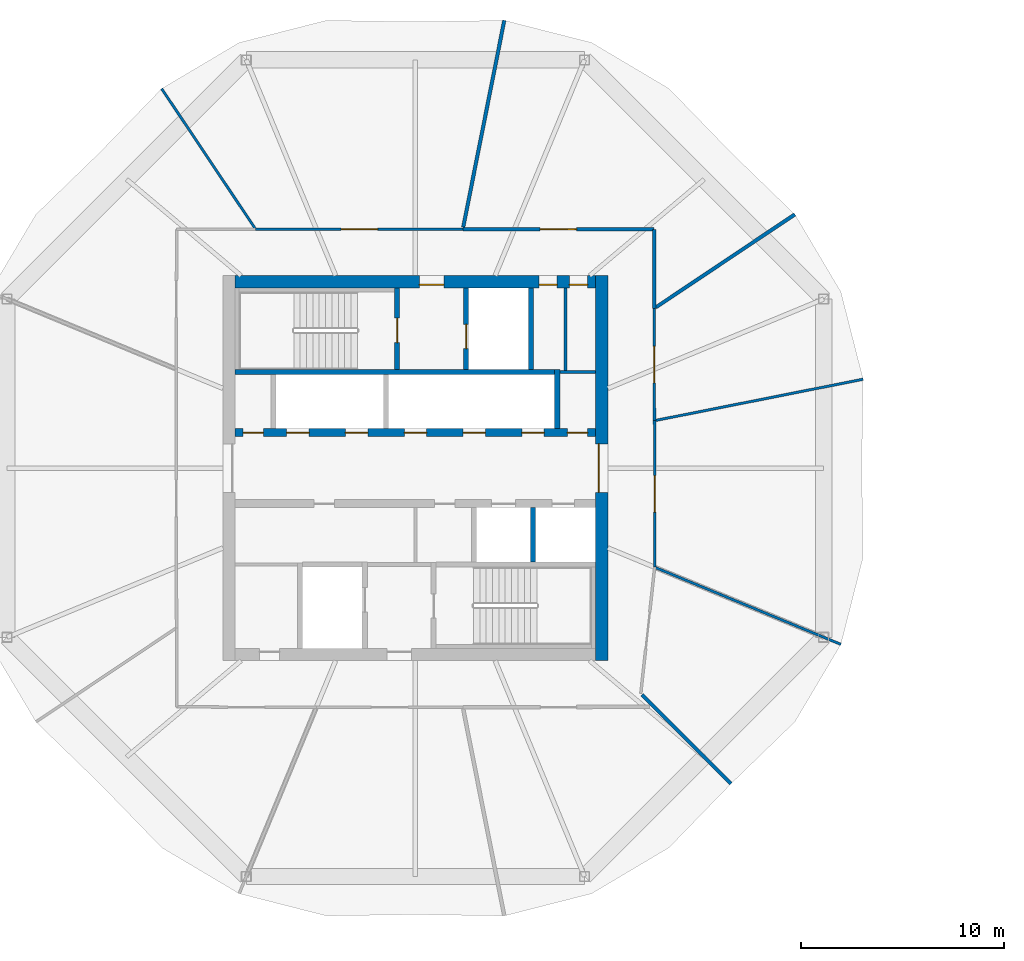
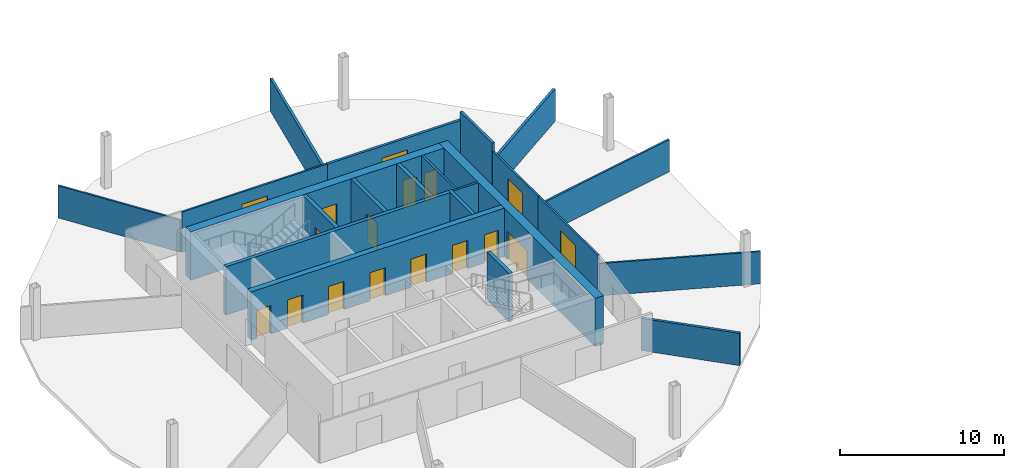
# One storey, part 6 of 10: 22 walls, 17 doors, 17 openings.
"""IFC4 building model written with IfcOpenShell, lengths in metres."""

from ifc_helpers import new_model, si_unit, direction, frame, frame_2d, origin, place, context, subcontext, project, spatial, rectangle, extrude, material, layer, layer_set, type_object, element, fill, save


model = new_model("IFC4")

# Units and contexts
model_context = context("Model", 3, precision=1e-05, world=origin(), true_north=direction((0.0, 1.0)))
body_context = subcontext(model_context, "Body", "Model", "MODEL_VIEW")
ifc_project = project(units=[si_unit("LENGTHUNIT", "METRE"), si_unit("AREAUNIT", "SQUARE_METRE"), si_unit("VOLUMEUNIT", "CUBIC_METRE"), si_unit("PLANEANGLEUNIT", "RADIAN"), si_unit("MASSUNIT", "GRAM", prefix="KILO")], contexts=[model_context])

# Site, building, storey
site_placement = place(None, origin())
site = spatial("IfcSite", under=ifc_project, at=site_placement, CompositionType="ELEMENT")
building_placement = place(site_placement, origin())
building = spatial("IfcBuilding", under=site, at=building_placement, Name="Ogive Gate Towers", CompositionType="ELEMENT")
storey_placement = place(building_placement, frame((0.0, 0.0, 173.39990234375)))
storey = spatial("IfcBuildingStorey", under=building, at=storey_placement, Name="L41", CompositionType="ELEMENT", Elevation=173.39990234375)

# Walls
ifc_material_1 = material(Name="Gypsum board acoustic partition")
ifc_layer_1 = layer(ifc_material_1, 0.175048828125)
ifc_layer_set_1 = layer_set([ifc_layer_1], Name="Acoustic partition 175")
wall_type_1 = type_object("IfcWallType", Name="Acoustic partition 175", PredefinedType="PARTITIONING", material=ifc_layer_set_1)
wall_1_placement = place(storey_placement, frame((-17.271728515625, 12.5234375, 0.0), z_axis=(0.0, 0.0, 1.0), x_axis=(-0.831276607887, -0.555858975982, 0.0)))
element("IfcWall", 1, at=wall_1_placement, inside=storey, type_object=wall_type_1, Name="Partition T1-L41-002", PredefinedType="PARTITIONING", context=body_context, shape_type="SweptSolid", body=[
    extrude(rectangle(XDim=8.26171875, YDim=0.175048828125, at=frame_2d((4.130859375, 0.0))), origin(), (0.0, 0.0, 1.0), 2.400146484375),
])
wall_2_placement = place(storey_placement, frame((-31.612548828125, 22.09814453125, 0.0), z_axis=(0.0, 0.0, 1.0), x_axis=(-0.194745070946, -0.980853891944, 0.0)))
element("IfcWall", 2, at=wall_2_placement, inside=storey, type_object=wall_type_1, Name="Partition T1-L41-003", PredefinedType="PARTITIONING", context=body_context, shape_type="SweptSolid", body=[
    extrude(rectangle(XDim=10.411376953125, YDim=0.175048828125, at=frame_2d((5.20556640625, 0.0))), origin(), (0.0, 0.0, 1.0), 2.400146484375),
])
wall_3_placement = place(storey_placement, frame((-20.423095703125, -15.576904296875, 0.0), z_axis=(0.0, 0.0, 1.0), x_axis=(-0.707106781187, 0.707106781187, 0.0)))
element("IfcWall", 3, at=wall_3_placement, inside=storey, type_object=wall_type_1, Name="Partition T1-L41-009", PredefinedType="PARTITIONING", context=body_context, shape_type="SweptSolid", body=[
    extrude(rectangle(XDim=6.21142578125, YDim=0.175048828125, at=frame_2d((3.105712890625, 0.0))), origin(), (0.0, 0.0, 1.0), 2.400146484375),
])

# Wall, opening, door
wall_4_placement = place(storey_placement, frame((-24.219970703125, 11.780029296875, 0.0), z_axis=(0.0, 0.0, 1.0), x_axis=(-0.999997694656, 0.002147250185, 0.0)))
wall_4 = element("IfcWall", 4, at=wall_4_placement, inside=storey, type_object=wall_type_1, Name="Partition T1-L41-022", PredefinedType="PARTITIONING", context=body_context, shape_type="SweptSolid", body=[
    extrude(rectangle(XDim=9.43701171875, YDim=0.175048828125, at=frame_2d((4.718505859375, 0.0))), origin(), (0.0, 0.0, 1.0), 3.0),
])
opening_1_placement = place(wall_4_placement, frame((3.819091796875, 0.0, 0.0)))
opening_1 = element("IfcOpeningElement", 5, at=opening_1_placement, cuts=wall_4, Name="Opening T1-L41-D10", PredefinedType="OPENING", context=body_context, shape_type="SweptSolid", body=[
    extrude(rectangle(XDim=1.800048828125, YDim=2.10009765625, at=frame_2d((0.89990234375, 1.050048828125))), frame((0.0, 0.09765625, 0.0), z_axis=(0.0, -1.0, 0.0), x_axis=(1.0, 0.0, 0.0)), (0.0, 0.0, 1.0), 0.195068359375),
])
ifc_material_2 = material(Name="Timber door", Category="wood")
door_type_1 = type_object("IfcDoorType", Name="Door pair 1800", OperationType="NOTDEFINED", PredefinedType="DOOR", material=ifc_material_2)
door_1_placement = place(opening_1_placement, origin())
door_1 = element("IfcDoor", 6, at=door_1_placement, inside=storey, type_object=door_type_1, Name="Door T1-L41-D10", OperationType="DOUBLE_DOOR_DOUBLE_SWING", OverallHeight=2.10009765625, OverallWidth=1.800048828125, PredefinedType="DOOR", context=body_context, shape_type="SweptSolid", body=[
    extrude(rectangle(XDim=1.800048828125, YDim=2.10009765625, at=frame_2d((0.89990234375, 1.050048828125))), frame((0.0, 0.02490234375, 0.0), z_axis=(0.0, -1.0, 0.0), x_axis=(1.0, 0.0, 0.0)), (0.0, 0.0, 1.0), 0.050048828125),
])
fill(opening_1, door_1)

# Wall
wall_5_placement = place(storey_placement, frame((-24.212158203125, 7.882568359375, 0.0), z_axis=(0.0, 0.0, 1.0), x_axis=(-0.002004506121, 0.999997990976, 0.0)))
element("IfcWall", 7, at=wall_5_placement, inside=storey, type_object=wall_type_1, Name="Partition T1-L41-023", PredefinedType="PARTITIONING", context=body_context, shape_type="SweptSolid", body=[
    extrude(rectangle(XDim=3.8974609375, YDim=0.175048828125, at=frame_2d((1.94873046875, 0.0))), origin(), (0.0, 0.0, 1.0), 3.60009765625),
])

# Wall, openings, doors
ifc_material_3 = material(Name="Concrete C60/75", Category="concrete")
ifc_layer_2 = layer(ifc_material_3, 0.60009765625)
ifc_layer_set_2 = layer_set([ifc_layer_2], Name="Core wall 600 mm")
wall_type_2 = type_object("IfcWallType", Name="Core wall 600 mm", PredefinedType="SHEAR", material=ifc_layer_set_2)
wall_6_placement = place(storey_placement, frame((-44.89990234375, 9.199951171875, 0.0), z_axis=(0.0, 0.0, 1.0), x_axis=(1.0, 0.0, 0.0)))
wall_6 = element("IfcWall", 8, at=wall_6_placement, inside=storey, type_object=wall_type_2, Name="T1 L41 Core wall 600 mm", PredefinedType="SHEAR", context=body_context, shape_type="SweptSolid", body=[
    extrude(rectangle(XDim=17.7998046875, YDim=0.60009765625, at=frame_2d((8.89990234375, 0.0))), origin(), (0.0, 0.0, 1.0), 3.60009765625),
])
opening_2_placement = place(wall_6_placement, frame((9.10009765625, 0.0, 0.0)))
opening_2 = element("IfcOpeningElement", 9, at=opening_2_placement, cuts=wall_6, Name="Opening KD-T1-L41-18", PredefinedType="OPENING", context=body_context, shape_type="SweptSolid", body=[
    extrude(rectangle(XDim=1.199951171875, YDim=2.10009765625, at=frame_2d((0.60009765625, 1.050048828125))), frame((0.0, 0.31005859375, 0.0), z_axis=(0.0, -1.0, 0.0), x_axis=(1.0, 0.0, 0.0)), (0.0, 0.0, 1.0), 0.6201171875),
])
opening_3_placement = place(wall_6_placement, frame((15.0, 0.0, 0.0)))
opening_3 = element("IfcOpeningElement", 10, at=opening_3_placement, cuts=wall_6, Name="Opening KD-T1-L41-20", PredefinedType="OPENING", context=body_context, shape_type="SweptSolid", body=[
    extrude(rectangle(XDim=0.89990234375, YDim=2.10009765625, at=frame_2d((0.449951171875, 1.050048828125))), frame((0.0, 0.31005859375, 0.0), z_axis=(0.0, -1.0, 0.0), x_axis=(1.0, 0.0, 0.0)), (0.0, 0.0, 1.0), 0.6201171875),
])
opening_4_placement = place(wall_6_placement, frame((16.5, 0.0, 0.0)))
opening_4 = element("IfcOpeningElement", 11, at=opening_4_placement, cuts=wall_6, Name="Opening KD-T1-L41-21", PredefinedType="OPENING", context=body_context, shape_type="SweptSolid", body=[
    extrude(rectangle(XDim=0.89990234375, YDim=2.10009765625, at=frame_2d((0.449951171875, 1.050048828125))), frame((0.0, 0.31005859375, 0.0), z_axis=(0.0, -1.0, 0.0), x_axis=(1.0, 0.0, 0.0)), (0.0, 0.0, 1.0), 0.6201171875),
])
door_type_2 = type_object("IfcDoorType", Name="Core WC door 900 x 2100", OperationType="NOTDEFINED", PredefinedType="DOOR", material=ifc_material_2)
door_2_placement = place(opening_3_placement, origin())
door_2 = element("IfcDoor", 12, at=door_2_placement, inside=storey, type_object=door_type_2, Name="T1 L41 Core door", OperationType="SINGLE_SWING_LEFT", OverallHeight=2.10009765625, OverallWidth=0.89990234375, PredefinedType="DOOR", context=body_context, shape_type="SweptSolid", body=[
    extrude(rectangle(XDim=0.89990234375, YDim=2.10009765625, at=frame_2d((0.449951171875, 1.050048828125))), frame((0.0, -0.125, 0.0), z_axis=(0.0, -1.0, 0.0), x_axis=(1.0, 0.0, 0.0)), (0.0, 0.0, 1.0), 0.050048828125),
])
fill(opening_3, door_2)
door_3_placement = place(opening_4_placement, origin())
door_3 = element("IfcDoor", 13, at=door_3_placement, inside=storey, type_object=door_type_2, Name="T1 L41 Core door", OperationType="SINGLE_SWING_RIGHT", OverallHeight=2.10009765625, OverallWidth=0.89990234375, PredefinedType="DOOR", context=body_context, shape_type="SweptSolid", body=[
    extrude(rectangle(XDim=0.89990234375, YDim=2.10009765625, at=frame_2d((0.449951171875, 1.050048828125))), frame((0.0, -0.125, 0.0), z_axis=(0.0, -1.0, 0.0), x_axis=(1.0, 0.0, 0.0)), (0.0, 0.0, 1.0), 0.050048828125),
])
fill(opening_4, door_3)
ifc_material_4 = material(Name="Steel fire door", Category="steel")
door_type_3 = type_object("IfcDoorType", Name="Core door FD60S 1200 x 2100", OperationType="NOTDEFINED", PredefinedType="DOOR", material=ifc_material_4)
door_4_placement = place(opening_2_placement, origin())
door_4 = element("IfcDoor", 14, at=door_4_placement, inside=storey, type_object=door_type_3, Name="T1 L41 Fire-fighting lobby door", OperationType="SINGLE_SWING_LEFT", OverallHeight=2.10009765625, OverallWidth=1.199951171875, PredefinedType="DOOR", context=body_context, shape_type="SweptSolid", body=[
    extrude(rectangle(XDim=1.199951171875, YDim=2.10009765625, at=frame_2d((0.60009765625, 1.050048828125))), frame((0.0, -0.125, 0.0), z_axis=(0.0, -1.0, 0.0), x_axis=(1.0, 0.0, 0.0)), (0.0, 0.0, 1.0), 0.050048828125),
])
fill(opening_2, door_4)

# Wall, opening, door
wall_7_placement = place(storey_placement, frame((-26.800048828125, -9.5, 0.0), z_axis=(0.0, 0.0, 1.0), x_axis=(0.0, 1.0, 0.0)))
wall_7 = element("IfcWall", 15, at=wall_7_placement, inside=storey, type_object=wall_type_2, Name="T1 L41 Core wall 600 mm", PredefinedType="SHEAR", context=body_context, shape_type="SweptSolid", body=[
    extrude(rectangle(XDim=19.0, YDim=0.60009765625, at=frame_2d((9.5, 0.0))), origin(), (0.0, 0.0, 1.0), 3.60009765625),
])
opening_5_placement = place(wall_7_placement, frame((8.300048828125, 0.0, 0.0)))
opening_5 = element("IfcOpeningElement", 16, at=opening_5_placement, cuts=wall_7, Name="Opening KD-T1-L41-02", PredefinedType="OPENING", context=body_context, shape_type="SweptSolid", body=[
    extrude(rectangle(XDim=2.39990234375, YDim=2.10009765625, at=frame_2d((1.199951171875, 1.050048828125))), frame((0.0, 0.31005859375, 0.0), z_axis=(0.0, -1.0, 0.0), x_axis=(1.0, 0.0, 0.0)), (0.0, 0.0, 1.0), 0.6201171875),
])
door_type_4 = type_object("IfcDoorType", Name="Core double door FD60S 2400 x 2100", OperationType="DOUBLE_DOOR_SINGLE_SWING", PredefinedType="DOOR", material=ifc_material_4)
door_5_placement = place(opening_5_placement, origin())
door_5 = element("IfcDoor", 17, at=door_5_placement, inside=storey, type_object=door_type_4, Name="T1 L41 Core door double", OperationType="DOUBLE_DOOR_SINGLE_SWING", OverallHeight=2.10009765625, OverallWidth=2.39990234375, PredefinedType="DOOR", context=body_context, shape_type="SweptSolid", body=[
    extrude(rectangle(XDim=2.39990234375, YDim=2.10009765625, at=frame_2d((1.199951171875, 1.050048828125))), frame((0.0, 0.1748046875, 0.0), z_axis=(0.0, -1.0, 0.0), x_axis=(1.0, 0.0, 0.0)), (0.0, 0.0, 1.0), 0.050048828125),
])
fill(opening_5, door_5)

# Walls
ifc_material_5 = material(Name="Gypsum board partition")
ifc_layer_3 = layer(ifc_material_5, 0.125)
ifc_layer_set_3 = layer_set([ifc_layer_3], Name="Partition 125")
wall_type_3 = type_object("IfcWallType", Name="Partition 125", PredefinedType="PARTITIONING", material=ifc_layer_set_3)
wall_8_placement = place(storey_placement, frame((-13.90185546875, 4.387451171875, 0.0), z_axis=(0.0, 0.0, 1.0), x_axis=(-0.980853242428, -0.194748342274, 0.0)))
element("IfcWall", 18, at=wall_8_placement, inside=storey, type_object=wall_type_3, Name="Partition T1-L41-001", PredefinedType="PARTITIONING", context=body_context, shape_type="SweptSolid", body=[
    extrude(rectangle(XDim=10.436279296875, YDim=0.125, at=frame_2d((5.21826171875, 0.0))), origin(), (0.0, 0.0, 1.0), 2.400146484375),
])
wall_9_placement = place(storey_placement, frame((-48.5234375, 18.728271484375, 0.0), z_axis=(0.0, 0.0, 1.0), x_axis=(0.555862276256, -0.831274401047, 0.0)))
element("IfcWall", 19, at=wall_9_placement, inside=storey, type_object=wall_type_3, Name="Partition T1-L41-004", PredefinedType="PARTITIONING", context=body_context, shape_type="SweptSolid", body=[
    extrude(rectangle(XDim=8.28662109375, YDim=0.125, at=frame_2d((4.143310546875, 0.0))), origin(), (0.0, 0.0, 1.0), 2.400146484375),
])
wall_10_placement = place(storey_placement, frame((-15.000244140625, -8.698486328125, 0.0), z_axis=(0.0, 0.0, 1.0), x_axis=(-0.923875671633, 0.382692753216, 0.0)))
element("IfcWall", 20, at=wall_10_placement, inside=storey, type_object=wall_type_3, Name="Partition T1-L41-010", PredefinedType="PARTITIONING", context=body_context, shape_type="SweptSolid", body=[
    extrude(rectangle(XDim=9.886474609375, YDim=0.125, at=frame_2d((4.943359375, 0.0))), origin(), (0.0, 0.0, 1.0), 2.400146484375),
])

# Wall, opening, door
wall_11_placement = place(storey_placement, frame((-33.656982421875, 11.80029296875, 0.0), z_axis=(0.0, 0.0, 1.0), x_axis=(-0.999999258667, -0.001217647841, 0.0)))
wall_11 = element("IfcWall", 21, at=wall_11_placement, inside=storey, type_object=wall_type_3, Name="Partition T1-L41-011", PredefinedType="PARTITIONING", context=body_context, shape_type="SweptSolid", body=[
    extrude(rectangle(XDim=10.2255859375, YDim=0.125, at=frame_2d((5.11279296875, 0.0))), origin(), (0.0, 0.0, 1.0), 3.0),
])
opening_6_placement = place(wall_11_placement, frame((4.212890625, 0.0, 0.0)))
opening_6 = element("IfcOpeningElement", 22, at=opening_6_placement, cuts=wall_11, Name="Opening T1-L41-D01", PredefinedType="OPENING", context=body_context, shape_type="SweptSolid", body=[
    extrude(rectangle(XDim=1.800048828125, YDim=2.10009765625, at=frame_2d((0.89990234375, 1.050048828125))), frame((0.0, 0.072509765625, 0.0), z_axis=(0.0, -1.0, 0.0), x_axis=(1.0, 0.0, 0.0)), (0.0, 0.0, 1.0), 0.14501953125),
])
door_6_placement = place(opening_6_placement, origin())
door_6 = element("IfcDoor", 23, at=door_6_placement, inside=storey, type_object=door_type_1, Name="Door T1-L41-D01", OperationType="DOUBLE_DOOR_DOUBLE_SWING", OverallHeight=2.10009765625, OverallWidth=1.800048828125, PredefinedType="DOOR", context=body_context, shape_type="SweptSolid", body=[
    extrude(rectangle(XDim=1.800048828125, YDim=2.10009765625, at=frame_2d((0.89990234375, 1.050048828125))), frame((0.0, 0.02490234375, 0.0), z_axis=(0.0, -1.0, 0.0), x_axis=(1.0, 0.0, 0.0)), (0.0, 0.0, 1.0), 0.050048828125),
])
fill(opening_6, door_6)

wall_12_placement = place(storey_placement, frame((-24.19189453125, -4.89111328125, 0.0), z_axis=(0.0, 0.0, 1.0), x_axis=(-0.001079949423, 0.999999416854, 0.0)))
wall_12 = element("IfcWall", 24, at=wall_12_placement, inside=storey, type_object=wall_type_3, Name="Partition T1-L41-020", PredefinedType="PARTITIONING", context=body_context, shape_type="SweptSolid", body=[
    extrude(rectangle(XDim=7.234130859375, YDim=0.125, at=frame_2d((3.6171875, 0.0))), origin(), (0.0, 0.0, 1.0), 3.0),
])
opening_7_placement = place(wall_12_placement, frame((2.717041015625, 0.0, 0.0)))
opening_7 = element("IfcOpeningElement", 25, at=opening_7_placement, cuts=wall_12, Name="Opening T1-L41-D08", PredefinedType="OPENING", context=body_context, shape_type="SweptSolid", body=[
    extrude(rectangle(XDim=1.800048828125, YDim=2.10009765625, at=frame_2d((0.89990234375, 1.050048828125))), frame((0.0, 0.072509765625, 0.0), z_axis=(0.0, -1.0, 0.0), x_axis=(1.0, 0.0, 0.0)), (0.0, 0.0, 1.0), 0.14501953125),
])
door_7_placement = place(opening_7_placement, origin())
door_7 = element("IfcDoor", 26, at=door_7_placement, inside=storey, type_object=door_type_1, Name="Door T1-L41-D08", OperationType="DOUBLE_DOOR_DOUBLE_SWING", OverallHeight=2.10009765625, OverallWidth=1.800048828125, PredefinedType="DOOR", context=body_context, shape_type="SweptSolid", body=[
    extrude(rectangle(XDim=1.800048828125, YDim=2.10009765625, at=frame_2d((0.89990234375, 1.050048828125))), frame((0.0, 0.02490234375, 0.0), z_axis=(0.0, -1.0, 0.0), x_axis=(1.0, 0.0, 0.0)), (0.0, 0.0, 1.0), 0.050048828125),
])
fill(opening_7, door_7)

wall_13_placement = place(storey_placement, frame((-24.19970703125, 2.343017578125, 0.0), z_axis=(0.0, 0.0, 1.0), x_axis=(-0.002247680528, 0.999997473963, 0.0)))
wall_13 = element("IfcWall", 27, at=wall_13_placement, inside=storey, type_object=wall_type_3, Name="Partition T1-L41-021", PredefinedType="PARTITIONING", context=body_context, shape_type="SweptSolid", body=[
    extrude(rectangle(XDim=5.53955078125, YDim=0.125, at=frame_2d((2.769775390625, 0.0))), origin(), (0.0, 0.0, 1.0), 3.0),
])
opening_8_placement = place(wall_13_placement, frame((1.8701171875, 0.0, 0.0)))
opening_8 = element("IfcOpeningElement", 28, at=opening_8_placement, cuts=wall_13, Name="Opening T1-L41-D09", PredefinedType="OPENING", context=body_context, shape_type="SweptSolid", body=[
    extrude(rectangle(XDim=1.800048828125, YDim=2.10009765625, at=frame_2d((0.89990234375, 1.050048828125))), frame((0.0, 0.072509765625, 0.0), z_axis=(0.0, -1.0, 0.0), x_axis=(1.0, 0.0, 0.0)), (0.0, 0.0, 1.0), 0.14501953125),
])
door_8_placement = place(opening_8_placement, origin())
door_8 = element("IfcDoor", 29, at=door_8_placement, inside=storey, type_object=door_type_1, Name="Door T1-L41-D09", OperationType="DOUBLE_DOOR_DOUBLE_SWING", OverallHeight=2.10009765625, OverallWidth=1.800048828125, PredefinedType="DOOR", context=body_context, shape_type="SweptSolid", body=[
    extrude(rectangle(XDim=1.800048828125, YDim=2.10009765625, at=frame_2d((0.89990234375, 1.050048828125))), frame((0.0, 0.02490234375, 0.0), z_axis=(0.0, -1.0, 0.0), x_axis=(1.0, 0.0, 0.0)), (0.0, 0.0, 1.0), 0.050048828125),
])
fill(opening_8, door_8)

# Walls
ifc_layer_4 = layer(ifc_material_5, 0.14990234375)
ifc_layer_set_4 = layer_set([ifc_layer_4], Name="Room partition 150 mm")
wall_type_4 = type_object("IfcWallType", Name="Room partition 150 mm", PredefinedType="PARTITIONING", material=ifc_layer_set_4)
wall_14_placement = place(storey_placement, frame((-28.875, 4.75, 0.0), z_axis=(0.0, 0.0, 1.0), x_axis=(1.0, 0.0, 0.0)))
element("IfcWall", 30, at=wall_14_placement, inside=storey, type_object=wall_type_4, Name="T1 L41 Room partition 150 mm", PredefinedType="PARTITIONING", context=body_context, shape_type="SweptSolid", body=[
    extrude(rectangle(XDim=1.77490234375, YDim=0.14990234375, at=frame_2d((0.887451171875, 0.0))), origin(), (0.0, 0.0, 1.0), 3.60009765625),
])
wall_15_placement = place(storey_placement, frame((-28.60009765625, 4.824951171875, 0.0), z_axis=(0.0, 0.0, 1.0), x_axis=(0.0, 1.0, 0.0)))
element("IfcWall", 31, at=wall_15_placement, inside=storey, type_object=wall_type_4, Name="T1 L41 Room partition 150 mm", PredefinedType="PARTITIONING", context=body_context, shape_type="SweptSolid", body=[
    extrude(rectangle(XDim=4.074951171875, YDim=0.14990234375, at=frame_2d((2.03759765625, 0.0))), origin(), (0.0, 0.0, 1.0), 3.60009765625),
])
ifc_layer_5 = layer(ifc_material_3, 0.25)
ifc_layer_set_5 = layer_set([ifc_layer_5], Name="Shaft wall 250 mm")
wall_type_5 = type_object("IfcWallType", Name="Shaft wall 250 mm", PredefinedType="SHEAR", material=ifc_layer_set_5)
wall_16_placement = place(storey_placement, frame((-44.89990234375, 4.75, 0.0), z_axis=(0.0, 0.0, 1.0), x_axis=(1.0, 0.0, 0.0)))
element("IfcWall", 32, at=wall_16_placement, inside=storey, type_object=wall_type_5, Name="T1 L41 Shaft wall 250 mm", PredefinedType="SHEAR", context=body_context, shape_type="SweptSolid", body=[
    extrude(rectangle(XDim=15.77490234375, YDim=0.25, at=frame_2d((7.887451171875, 0.0))), origin(), (0.0, 0.0, 1.0), 3.60009765625),
])

# Wall, opening, door
wall_17_placement = place(storey_placement, frame((-36.89990234375, 4.875, 0.0), z_axis=(0.0, 0.0, 1.0), x_axis=(0.0, 1.0, 0.0)))
wall_17 = element("IfcWall", 33, at=wall_17_placement, inside=storey, type_object=wall_type_5, Name="T1 L41 Shaft wall 250 mm", PredefinedType="SHEAR", context=body_context, shape_type="SweptSolid", body=[
    extrude(rectangle(XDim=4.02490234375, YDim=0.25, at=frame_2d((2.012451171875, 0.0))), origin(), (0.0, 0.0, 1.0), 3.60009765625),
])
opening_9_placement = place(wall_17_placement, frame((1.324951171875, 0.0, 0.0)))
opening_9 = element("IfcOpeningElement", 34, at=opening_9_placement, cuts=wall_17, Name="Opening KD-T1-L41-16", PredefinedType="OPENING", context=body_context, shape_type="SweptSolid", body=[
    extrude(rectangle(XDim=1.199951171875, YDim=2.10009765625, at=frame_2d((0.60009765625, 1.050048828125))), frame((0.0, 0.135009765625, 0.0), z_axis=(0.0, -1.0, 0.0), x_axis=(1.0, 0.0, 0.0)), (0.0, 0.0, 1.0), 0.27001953125),
])
door_9_placement = place(opening_9_placement, origin())
door_9 = element("IfcDoor", 35, at=door_9_placement, inside=storey, type_object=door_type_3, Name="T1 L41 Stair door", OperationType="SINGLE_SWING_LEFT", OverallHeight=2.10009765625, OverallWidth=1.199951171875, PredefinedType="DOOR", context=body_context, shape_type="SweptSolid", body=[
    extrude(rectangle(XDim=1.199951171875, YDim=2.10009765625, at=frame_2d((0.60009765625, 1.050048828125))), frame((0.0, 0.02490234375, 0.0), z_axis=(0.0, -1.0, 0.0), x_axis=(1.0, 0.0, 0.0)), (0.0, 0.0, 1.0), 0.050048828125),
])
fill(opening_9, door_9)

wall_18_placement = place(storey_placement, frame((-33.5, 4.875, 0.0), z_axis=(0.0, 0.0, 1.0), x_axis=(0.0, 1.0, 0.0)))
wall_18 = element("IfcWall", 36, at=wall_18_placement, inside=storey, type_object=wall_type_5, Name="T1 L41 Shaft wall 250 mm", PredefinedType="SHEAR", context=body_context, shape_type="SweptSolid", body=[
    extrude(rectangle(XDim=4.02490234375, YDim=0.25, at=frame_2d((2.012451171875, 0.0))), origin(), (0.0, 0.0, 1.0), 3.60009765625),
])
opening_10_placement = place(wall_18_placement, frame((1.02490234375, 0.0, 0.0)))
opening_10 = element("IfcOpeningElement", 37, at=opening_10_placement, cuts=wall_18, Name="Opening LD-T1-L41-12", PredefinedType="OPENING", context=body_context, shape_type="SweptSolid", body=[
    extrude(rectangle(XDim=1.199951171875, YDim=2.10009765625, at=frame_2d((0.60009765625, 1.050048828125))), frame((0.0, 0.135009765625, 0.0), z_axis=(0.0, -1.0, 0.0), x_axis=(1.0, 0.0, 0.0)), (0.0, 0.0, 1.0), 0.27001953125),
])
ifc_material_6 = material(Name="Stainless steel landing door", Category="steel")
door_type_5 = type_object("IfcDoorType", Name="Landing door 1200 x 2100", OperationType="SLIDING_TO_LEFT", PredefinedType="DOOR", material=ifc_material_6)
door_10_placement = place(opening_10_placement, origin())
door_10 = element("IfcDoor", 38, at=door_10_placement, inside=storey, type_object=door_type_5, Name="T1 L41 Lift landing door FF1", OperationType="SLIDING_TO_LEFT", OverallHeight=2.10009765625, OverallWidth=1.199951171875, PredefinedType="DOOR", context=body_context, shape_type="SweptSolid", body=[
    extrude(rectangle(XDim=1.199951171875, YDim=2.10009765625, at=frame_2d((0.60009765625, 1.050048828125))), frame((0.0, 0.02490234375, 0.0), z_axis=(0.0, -1.0, 0.0), x_axis=(1.0, 0.0, 0.0)), (0.0, 0.0, 1.0), 0.050048828125),
])
fill(opening_10, door_10)

# Walls
wall_19_placement = place(storey_placement, frame((-30.300048828125, 4.875, 0.0), z_axis=(0.0, 0.0, 1.0), x_axis=(0.0, 1.0, 0.0)))
element("IfcWall", 39, at=wall_19_placement, inside=storey, type_object=wall_type_5, Name="T1 L41 Shaft wall 250 mm", PredefinedType="SHEAR", context=body_context, shape_type="SweptSolid", body=[
    extrude(rectangle(XDim=4.02490234375, YDim=0.25, at=frame_2d((2.012451171875, 0.0))), origin(), (0.0, 0.0, 1.0), 3.60009765625),
])
wall_20_placement = place(storey_placement, frame((-30.199951171875, -4.625, 0.0), z_axis=(0.0, 0.0, 1.0), x_axis=(0.0, 1.0, 0.0)))
element("IfcWall", 40, at=wall_20_placement, inside=storey, type_object=wall_type_5, Name="T1 L41 Shaft wall 250 mm", PredefinedType="SHEAR", context=body_context, shape_type="SweptSolid", body=[
    extrude(rectangle(XDim=2.675048828125, YDim=0.25, at=frame_2d((1.33740234375, 0.0))), origin(), (0.0, 0.0, 1.0), 3.60009765625),
])
wall_21_placement = place(storey_placement, frame((-29.0, 1.949951171875, 0.0), z_axis=(0.0, 0.0, 1.0), x_axis=(0.0, 1.0, 0.0)))
element("IfcWall", 41, at=wall_21_placement, inside=storey, type_object=wall_type_5, Name="T1 L41 Shaft wall 250 mm", PredefinedType="SHEAR", context=body_context, shape_type="SweptSolid", body=[
    extrude(rectangle(XDim=2.925048828125, YDim=0.25, at=frame_2d((1.46240234375, 0.0))), origin(), (0.0, 0.0, 1.0), 3.60009765625),
])

# Wall, openings, doors
ifc_layer_6 = layer(ifc_material_3, 0.39990234375)
ifc_layer_set_6 = layer_set([ifc_layer_6], Name="Spine wall 400 mm")
wall_type_6 = type_object("IfcWallType", Name="Spine wall 400 mm", PredefinedType="SHEAR", material=ifc_layer_set_6)
wall_22_placement = place(storey_placement, frame((-44.89990234375, 1.75, 0.0), z_axis=(0.0, 0.0, 1.0), x_axis=(1.0, 0.0, 0.0)))
wall_22 = element("IfcWall", 42, at=wall_22_placement, inside=storey, type_object=wall_type_6, Name="T1 L41 Spine wall 400 mm", PredefinedType="SHEAR", context=body_context, shape_type="SweptSolid", body=[
    extrude(rectangle(XDim=17.7998046875, YDim=0.39990234375, at=frame_2d((8.89990234375, 0.0))), origin(), (0.0, 0.0, 1.0), 3.60009765625),
])
opening_11_placement = place(wall_22_placement, frame((0.39990234375, 0.0, 0.0)))
opening_11 = element("IfcOpeningElement", 43, at=opening_11_placement, cuts=wall_22, Name="Opening KD-T1-L41-03", PredefinedType="OPENING", context=body_context, shape_type="SweptSolid", body=[
    extrude(rectangle(XDim=1.0, YDim=2.10009765625, at=frame_2d((0.5, 1.050048828125))), frame((0.0, 0.2099609375, 0.0), z_axis=(0.0, -1.0, 0.0), x_axis=(1.0, 0.0, 0.0)), (0.0, 0.0, 1.0), 0.419921875),
])
opening_12_placement = place(wall_22_placement, frame((2.550048828125, 0.0, 0.0)))
opening_12 = element("IfcOpeningElement", 44, at=opening_12_placement, cuts=wall_22, Name="Opening LD-T1-L41-04", PredefinedType="OPENING", context=body_context, shape_type="SweptSolid", body=[
    extrude(rectangle(XDim=1.10009765625, YDim=2.10009765625, at=frame_2d((0.550048828125, 1.050048828125))), frame((0.0, 0.2099609375, 0.0), z_axis=(0.0, -1.0, 0.0), x_axis=(1.0, 0.0, 0.0)), (0.0, 0.0, 1.0), 0.419921875),
])
opening_13_placement = place(wall_22_placement, frame((5.449951171875, 0.0, 0.0)))
opening_13 = element("IfcOpeningElement", 45, at=opening_13_placement, cuts=wall_22, Name="Opening LD-T1-L41-05", PredefinedType="OPENING", context=body_context, shape_type="SweptSolid", body=[
    extrude(rectangle(XDim=1.10009765625, YDim=2.10009765625, at=frame_2d((0.550048828125, 1.050048828125))), frame((0.0, 0.2099609375, 0.0), z_axis=(0.0, -1.0, 0.0), x_axis=(1.0, 0.0, 0.0)), (0.0, 0.0, 1.0), 0.419921875),
])
opening_14_placement = place(wall_22_placement, frame((8.35009765625, 0.0, 0.0)))
opening_14 = element("IfcOpeningElement", 46, at=opening_14_placement, cuts=wall_22, Name="Opening LD-T1-L41-06", PredefinedType="OPENING", context=body_context, shape_type="SweptSolid", body=[
    extrude(rectangle(XDim=1.10009765625, YDim=2.10009765625, at=frame_2d((0.550048828125, 1.050048828125))), frame((0.0, 0.2099609375, 0.0), z_axis=(0.0, -1.0, 0.0), x_axis=(1.0, 0.0, 0.0)), (0.0, 0.0, 1.0), 0.419921875),
])
opening_15_placement = place(wall_22_placement, frame((11.25, 0.0, 0.0)))
opening_15 = element("IfcOpeningElement", 47, at=opening_15_placement, cuts=wall_22, Name="Opening LD-T1-L41-07", PredefinedType="OPENING", context=body_context, shape_type="SweptSolid", body=[
    extrude(rectangle(XDim=1.10009765625, YDim=2.10009765625, at=frame_2d((0.550048828125, 1.050048828125))), frame((0.0, 0.2099609375, 0.0), z_axis=(0.0, -1.0, 0.0), x_axis=(1.0, 0.0, 0.0)), (0.0, 0.0, 1.0), 0.419921875),
])
opening_16_placement = place(wall_22_placement, frame((14.14990234375, 0.0, 0.0)))
opening_16 = element("IfcOpeningElement", 48, at=opening_16_placement, cuts=wall_22, Name="Opening LD-T1-L41-08", PredefinedType="OPENING", context=body_context, shape_type="SweptSolid", body=[
    extrude(rectangle(XDim=1.10009765625, YDim=2.10009765625, at=frame_2d((0.550048828125, 1.050048828125))), frame((0.0, 0.2099609375, 0.0), z_axis=(0.0, -1.0, 0.0), x_axis=(1.0, 0.0, 0.0)), (0.0, 0.0, 1.0), 0.419921875),
])
opening_17_placement = place(wall_22_placement, frame((16.39990234375, 0.0, 0.0)))
opening_17 = element("IfcOpeningElement", 49, at=opening_17_placement, cuts=wall_22, Name="Opening KD-T1-L41-09", PredefinedType="OPENING", context=body_context, shape_type="SweptSolid", body=[
    extrude(rectangle(XDim=1.0, YDim=2.10009765625, at=frame_2d((0.5, 1.050048828125))), frame((0.0, 0.2099609375, 0.0), z_axis=(0.0, -1.0, 0.0), x_axis=(1.0, 0.0, 0.0)), (0.0, 0.0, 1.0), 0.419921875),
])
door_type_6 = type_object("IfcDoorType", Name="Core door FD60S 1000 x 2100", OperationType="NOTDEFINED", PredefinedType="DOOR", material=ifc_material_4)
door_11_placement = place(opening_11_placement, origin())
door_11 = element("IfcDoor", 50, at=door_11_placement, inside=storey, type_object=door_type_6, Name="T1 L41 Core door", OperationType="SINGLE_SWING_RIGHT", OverallHeight=2.10009765625, OverallWidth=1.0, PredefinedType="DOOR", context=body_context, shape_type="SweptSolid", body=[
    extrude(rectangle(XDim=1.0, YDim=2.10009765625, at=frame_2d((0.5, 1.050048828125))), frame((0.0, 0.02490234375, 0.0), z_axis=(0.0, -1.0, 0.0), x_axis=(1.0, 0.0, 0.0)), (0.0, 0.0, 1.0), 0.050048828125),
])
fill(opening_11, door_11)
door_12_placement = place(opening_17_placement, origin())
door_12 = element("IfcDoor", 51, at=door_12_placement, inside=storey, type_object=door_type_6, Name="T1 L41 Core door", OperationType="SINGLE_SWING_RIGHT", OverallHeight=2.10009765625, OverallWidth=1.0, PredefinedType="DOOR", context=body_context, shape_type="SweptSolid", body=[
    extrude(rectangle(XDim=1.0, YDim=2.10009765625, at=frame_2d((0.5, 1.050048828125))), frame((0.0, 0.02490234375, 0.0), z_axis=(0.0, -1.0, 0.0), x_axis=(1.0, 0.0, 0.0)), (0.0, 0.0, 1.0), 0.050048828125),
])
fill(opening_17, door_12)
door_type_7 = type_object("IfcDoorType", Name="Landing door 1100 x 2100", OperationType="SLIDING_TO_LEFT", PredefinedType="DOOR", material=ifc_material_6)
door_13_placement = place(opening_12_placement, origin())
door_13 = element("IfcDoor", 52, at=door_13_placement, inside=storey, type_object=door_type_7, Name="T1 L41 Lift landing door B1", OperationType="SLIDING_TO_LEFT", OverallHeight=2.10009765625, OverallWidth=1.10009765625, PredefinedType="DOOR", context=body_context, shape_type="SweptSolid", body=[
    extrude(rectangle(XDim=1.10009765625, YDim=2.10009765625, at=frame_2d((0.550048828125, 1.050048828125))), frame((0.0, 0.02490234375, 0.0), z_axis=(0.0, -1.0, 0.0), x_axis=(1.0, 0.0, 0.0)), (0.0, 0.0, 1.0), 0.050048828125),
])
fill(opening_12, door_13)
door_14_placement = place(opening_13_placement, origin())
door_14 = element("IfcDoor", 53, at=door_14_placement, inside=storey, type_object=door_type_7, Name="T1 L41 Lift landing door B2", OperationType="SLIDING_TO_LEFT", OverallHeight=2.10009765625, OverallWidth=1.10009765625, PredefinedType="DOOR", context=body_context, shape_type="SweptSolid", body=[
    extrude(rectangle(XDim=1.10009765625, YDim=2.10009765625, at=frame_2d((0.550048828125, 1.050048828125))), frame((0.0, 0.02490234375, 0.0), z_axis=(0.0, -1.0, 0.0), x_axis=(1.0, 0.0, 0.0)), (0.0, 0.0, 1.0), 0.050048828125),
])
fill(opening_13, door_14)
door_15_placement = place(opening_14_placement, origin())
door_15 = element("IfcDoor", 54, at=door_15_placement, inside=storey, type_object=door_type_7, Name="T1 L41 Lift landing door B3", OperationType="SLIDING_TO_LEFT", OverallHeight=2.10009765625, OverallWidth=1.10009765625, PredefinedType="DOOR", context=body_context, shape_type="SweptSolid", body=[
    extrude(rectangle(XDim=1.10009765625, YDim=2.10009765625, at=frame_2d((0.550048828125, 1.050048828125))), frame((0.0, 0.02490234375, 0.0), z_axis=(0.0, -1.0, 0.0), x_axis=(1.0, 0.0, 0.0)), (0.0, 0.0, 1.0), 0.050048828125),
])
fill(opening_14, door_15)
door_16_placement = place(opening_15_placement, origin())
door_16 = element("IfcDoor", 55, at=door_16_placement, inside=storey, type_object=door_type_7, Name="T1 L41 Lift landing door B4", OperationType="SLIDING_TO_LEFT", OverallHeight=2.10009765625, OverallWidth=1.10009765625, PredefinedType="DOOR", context=body_context, shape_type="SweptSolid", body=[
    extrude(rectangle(XDim=1.10009765625, YDim=2.10009765625, at=frame_2d((0.550048828125, 1.050048828125))), frame((0.0, 0.02490234375, 0.0), z_axis=(0.0, -1.0, 0.0), x_axis=(1.0, 0.0, 0.0)), (0.0, 0.0, 1.0), 0.050048828125),
])
fill(opening_15, door_16)
door_17_placement = place(opening_16_placement, origin())
door_17 = element("IfcDoor", 56, at=door_17_placement, inside=storey, type_object=door_type_7, Name="T1 L41 Lift landing door B5", OperationType="SLIDING_TO_LEFT", OverallHeight=2.10009765625, OverallWidth=1.10009765625, PredefinedType="DOOR", context=body_context, shape_type="SweptSolid", body=[
    extrude(rectangle(XDim=1.10009765625, YDim=2.10009765625, at=frame_2d((0.550048828125, 1.050048828125))), frame((0.0, 0.02490234375, 0.0), z_axis=(0.0, -1.0, 0.0), x_axis=(1.0, 0.0, 0.0)), (0.0, 0.0, 1.0), 0.050048828125),
])
fill(opening_16, door_17)

save(model, "model.ifc")
